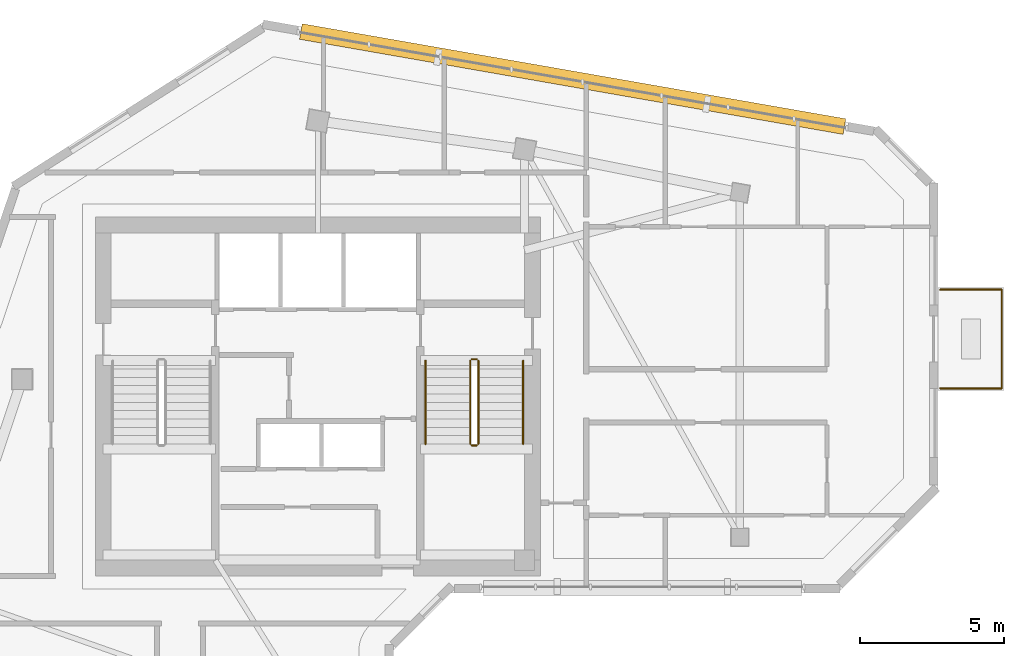
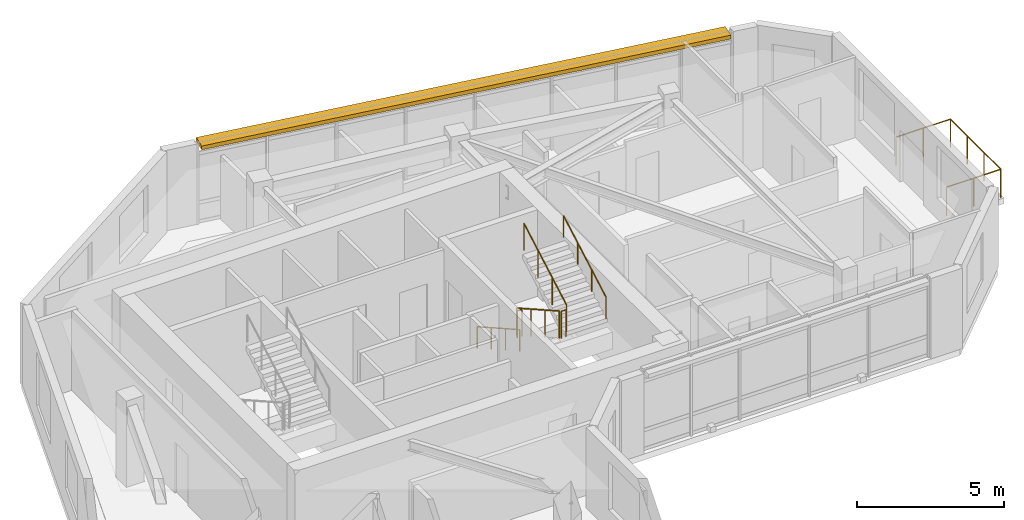
# One storey, part 9 of 9: 9 railings, 1 shading device.
"""IFC4 building model written with IfcOpenShell, lengths in metres."""

from ifc_helpers import new_model, si_unit, direction, frame, frame_2d, origin, origin_2d, place, context, subcontext, project, spatial, rectangle, circle, extrude, material, type_object, element, save


model = new_model("IFC4")

# Units and contexts
model_context = context("Model", 3, precision=1e-05, world=origin(), true_north=direction((0.0, 1.0)))
body_context = subcontext(model_context, "Body", "Model", "MODEL_VIEW")
ifc_project = project(units=[si_unit("LENGTHUNIT", "METRE"), si_unit("AREAUNIT", "SQUARE_METRE"), si_unit("VOLUMEUNIT", "CUBIC_METRE"), si_unit("PLANEANGLEUNIT", "RADIAN"), si_unit("MASSUNIT", "GRAM", prefix="KILO")], contexts=[model_context])

# Site, building, storey
site_placement = place(None, origin())
site = spatial("IfcSite", under=ifc_project, at=site_placement, CompositionType="ELEMENT")
building_placement = place(site_placement, origin())
building = spatial("IfcBuilding", under=site, at=building_placement, Name="Calvemar Wedge Station Tower", CompositionType="ELEMENT")
storey_placement = place(building_placement, frame((0.0, 0.0, 260.10009765625)))
storey = spatial("IfcBuildingStorey", under=building, at=storey_placement, Name="L66", CompositionType="ELEMENT", Elevation=260.10009765625)

# Railings
ifc_material_1 = material(Name="Stainless steel AISI 316L", Category="steel")
railing_type_1 = type_object("IfcRailingType", Name="GRD-TERR-1200", PredefinedType="GUARDRAIL", material=ifc_material_1)
railing_1_placement = place(storey_placement, frame((45.47998046875, 43.6259765625, 0.0)))
element("IfcRailing", 1, at=railing_1_placement, inside=storey, type_object=railing_type_1, Name="Storey L66 Spiral Terrace Guard 2", PredefinedType="GUARDRAIL", context=body_context, shape_type="SweptSolid", body=[
    extrude(circle(Radius=0.02392578125, at=origin_2d()), frame((0.0, 0.0, 1.17578125), z_axis=(1.0, 0.0, 0.0), x_axis=(0.0, 1.0, 0.0)), (0.0, 0.0, 1.0), 2.14013671875),
    extrude(circle(Radius=0.02099609375, at=origin_2d()), origin(), (0.0, 0.0, 1.0), 1.15185546875),
    extrude(circle(Radius=0.02099609375, at=origin_2d()), frame((1.070068359375, 0.0, 0.0)), (0.0, 0.0, 1.0), 1.15185546875),
    extrude(circle(Radius=0.02099609375, at=origin_2d()), frame((2.14013671875, 0.0, 0.0)), (0.0, 0.0, 1.0), 1.15185546875),
])
railing_2_placement = place(storey_placement, frame((47.6201171875, 43.6259765625, 0.0)))
element("IfcRailing", 2, at=railing_2_placement, inside=storey, type_object=railing_type_1, Name="Storey L66 Spiral Terrace Guard 3", PredefinedType="GUARDRAIL", context=body_context, shape_type="SweptSolid", body=[
    extrude(circle(Radius=0.02392578125, at=origin_2d()), frame((0.0, 0.0, 1.17578125), z_axis=(0.0, -1.0, 0.0), x_axis=(1.0, 0.0, 0.0)), (0.0, 0.0, 1.0), 3.43994140625),
    extrude(circle(Radius=0.02099609375, at=origin_2d()), origin(), (0.0, 0.0, 1.0), 1.15185546875),
    extrude(circle(Radius=0.02099609375, at=origin_2d()), frame((0.0, -1.146728515625, 0.0)), (0.0, 0.0, 1.0), 1.15185546875),
    extrude(circle(Radius=0.02099609375, at=origin_2d()), frame((0.0, -2.293212890625, 0.0)), (0.0, 0.0, 1.0), 1.15185546875),
    extrude(circle(Radius=0.02099609375, at=origin_2d()), frame((0.0, -3.43994140625, 0.0)), (0.0, 0.0, 1.0), 1.15185546875),
])
railing_3_placement = place(storey_placement, frame((47.6201171875, 40.18603515625, 0.0)))
element("IfcRailing", 3, at=railing_3_placement, inside=storey, type_object=railing_type_1, Name="Storey L66 Spiral Terrace Guard 4", PredefinedType="GUARDRAIL", context=body_context, shape_type="SweptSolid", body=[
    extrude(circle(Radius=0.02392578125, at=origin_2d()), frame((0.0, 0.0, 1.17578125), z_axis=(-1.0, 0.0, 0.0), x_axis=(0.0, -1.0, 0.0)), (0.0, 0.0, 1.0), 2.14013671875),
    extrude(circle(Radius=0.02099609375, at=origin_2d()), origin(), (0.0, 0.0, 1.0), 1.15185546875),
    extrude(circle(Radius=0.02099609375, at=origin_2d()), frame((-1.070068359375, 0.0, 0.0)), (0.0, 0.0, 1.0), 1.15185546875),
    extrude(circle(Radius=0.02099609375, at=origin_2d()), frame((-2.14013671875, 0.0, 0.0)), (0.0, 0.0, 1.0), 1.15185546875),
])
railing_type_2 = type_object("IfcRailingType", Name="RL-HANDRAIL-920", PredefinedType="HANDRAIL", material=ifc_material_1)
railing_4_placement = place(storey_placement, frame((27.550048828125, 41.14990234375, 0.16357421875)))
element("IfcRailing", 4, at=railing_4_placement, inside=storey, type_object=railing_type_2, Name="L66 ST-C2 stair handrail 1", PredefinedType="HANDRAIL", context=body_context, shape_type="SweptSolid", body=[
    extrude(circle(Radius=0.02392578125, at=origin_2d()), frame((0.0, 0.0, 0.89599609375), z_axis=(0.0, -0.870928581787, 0.491409610636), x_axis=(1.0, 0.0, 0.0)), (0.0, 0.0, 1.0), 3.32958984375),
    extrude(circle(Radius=0.02099609375, at=origin_2d()), origin(), (0.0, 0.0, 1.0), 0.871826171875),
    extrude(circle(Radius=0.02099609375, at=origin_2d()), frame((0.0, -0.966552734375, 0.54541015625)), (0.0, 0.0, 1.0), 0.871826171875),
    extrude(circle(Radius=0.02099609375, at=origin_2d()), frame((0.0, -1.933349609375, 1.0908203125)), (0.0, 0.0, 1.0), 0.871826171875),
    extrude(circle(Radius=0.02099609375, at=origin_2d()), frame((0.0, -2.89990234375, 1.63623046875)), (0.0, 0.0, 1.0), 0.871826171875),
])
railing_5_placement = place(storey_placement, frame((30.949951171875, 38.25, 1.963623046875)))
element("IfcRailing", 5, at=railing_5_placement, inside=storey, type_object=railing_type_2, Name="L66 ST-C2 stair handrail 2", PredefinedType="HANDRAIL", context=body_context, shape_type="SweptSolid", body=[
    extrude(circle(Radius=0.02392578125, at=origin_2d()), frame((0.0, 0.0, 0.89599609375), z_axis=(0.0, 0.870928581787, 0.491409610636), x_axis=(-1.0, 0.0, 0.0)), (0.0, 0.0, 1.0), 3.32958984375),
    extrude(circle(Radius=0.02099609375, at=origin_2d()), origin(), (0.0, 0.0, 1.0), 0.871826171875),
    extrude(circle(Radius=0.02099609375, at=origin_2d()), frame((0.0, 0.966552734375, 0.54541015625)), (0.0, 0.0, 1.0), 0.871826171875),
    extrude(circle(Radius=0.02099609375, at=origin_2d()), frame((0.0, 1.933349609375, 1.0908203125)), (0.0, 0.0, 1.0), 0.871826171875),
    extrude(circle(Radius=0.02099609375, at=origin_2d()), frame((0.0, 2.89990234375, 1.63623046875)), (0.0, 0.0, 1.0), 0.871826171875),
])
ifc_material_2 = material(Name="Painted steel guardrail ASTM A500 Grade C", Category="steel")
railing_type_3 = type_object("IfcRailingType", Name="RL-STAIR-GUARD-1150", PredefinedType="GUARDRAIL", material=ifc_material_2)
railing_6_placement = place(storey_placement, frame((29.110107421875, 41.14990234375, 0.16357421875)))
element("IfcRailing", 6, at=railing_6_placement, inside=storey, type_object=railing_type_3, Name="L66 ST-C2 stair guard 1", PredefinedType="GUARDRAIL", context=body_context, shape_type="SweptSolid", body=[
    extrude(circle(Radius=0.02392578125, at=origin_2d()), frame((0.0, 0.0, 1.1259765625), z_axis=(0.0, -0.870928581787, 0.491409610636), x_axis=(1.0, 0.0, 0.0)), (0.0, 0.0, 1.0), 3.32958984375),
    extrude(circle(Radius=0.02099609375, at=origin_2d()), origin(), (0.0, 0.0, 1.0), 1.101806640625),
    extrude(circle(Radius=0.02099609375, at=origin_2d()), frame((0.0, -0.966552734375, 0.54541015625)), (0.0, 0.0, 1.0), 1.101806640625),
    extrude(circle(Radius=0.02099609375, at=origin_2d()), frame((0.0, -1.933349609375, 1.0908203125)), (0.0, 0.0, 1.0), 1.101806640625),
    extrude(circle(Radius=0.02099609375, at=origin_2d()), frame((0.0, -2.89990234375, 1.63623046875)), (0.0, 0.0, 1.0), 1.101806640625),
])
railing_7_placement = place(storey_placement, frame((29.159912109375, 38.199951171875, 1.7998046875)))
element("IfcRailing", 7, at=railing_7_placement, inside=storey, type_object=railing_type_3, Name="L66 ST-C2 stair guard 2", PredefinedType="GUARDRAIL", context=body_context, shape_type="SweptSolid", body=[
    extrude(circle(Radius=0.02392578125, at=origin_2d()), frame((0.0, 0.0, 1.1259765625), z_axis=(1.0, 0.0, 0.0), x_axis=(0.0, 1.0, 0.0)), (0.0, 0.0, 1.0), 0.18017578125),
    extrude(circle(Radius=0.02099609375, at=origin_2d()), origin(), (0.0, 0.0, 1.0), 1.101806640625),
    extrude(circle(Radius=0.02099609375, at=origin_2d()), frame((0.18017578125, 0.0, 0.0)), (0.0, 0.0, 1.0), 1.101806640625),
])
railing_8_placement = place(storey_placement, frame((29.389892578125, 38.25, 1.963623046875)))
element("IfcRailing", 8, at=railing_8_placement, inside=storey, type_object=railing_type_3, Name="L66 ST-C2 stair guard 3", PredefinedType="GUARDRAIL", context=body_context, shape_type="SweptSolid", body=[
    extrude(circle(Radius=0.02392578125, at=origin_2d()), frame((0.0, 0.0, 1.1259765625), z_axis=(0.0, 0.870928581787, 0.491409610636), x_axis=(-1.0, 0.0, 0.0)), (0.0, 0.0, 1.0), 3.32958984375),
    extrude(circle(Radius=0.02099609375, at=origin_2d()), origin(), (0.0, 0.0, 1.0), 1.101806640625),
    extrude(circle(Radius=0.02099609375, at=origin_2d()), frame((0.0, 0.966552734375, 0.54541015625)), (0.0, 0.0, 1.0), 1.101806640625),
    extrude(circle(Radius=0.02099609375, at=origin_2d()), frame((0.0, 1.933349609375, 1.0908203125)), (0.0, 0.0, 1.0), 1.101806640625),
    extrude(circle(Radius=0.02099609375, at=origin_2d()), frame((0.0, 2.89990234375, 1.63623046875)), (0.0, 0.0, 1.0), 1.101806640625),
])
railing_9_placement = place(storey_placement, frame((29.159912109375, 41.199951171875, 0.0)))
element("IfcRailing", 9, at=railing_9_placement, inside=storey, type_object=railing_type_3, Name="L66 ST-C2 stair guard 4", PredefinedType="GUARDRAIL", context=body_context, shape_type="SweptSolid", body=[
    extrude(circle(Radius=0.02392578125, at=origin_2d()), frame((0.0, 0.0, 1.1259765625), z_axis=(1.0, 0.0, 0.0), x_axis=(0.0, 1.0, 0.0)), (0.0, 0.0, 1.0), 0.18017578125),
    extrude(circle(Radius=0.02099609375, at=origin_2d()), origin(), (0.0, 0.0, 1.0), 1.101806640625),
    extrude(circle(Radius=0.02099609375, at=origin_2d()), frame((0.18017578125, 0.0, 0.0)), (0.0, 0.0, 1.0), 1.101806640625),
])

# Shading device
ifc_material_3 = material(Name="Precast concrete C45", Category="concrete")
shading_device_type = type_object("IfcShadingDeviceType", Name="SHD-EYEBROW-1", PredefinedType="SHUTTER", material=ifc_material_3)
shading_device_placement = place(storey_placement, frame((42.14208984375, 49.303466796875, 3.169921875), z_axis=(0.0, 0.0, 1.0), x_axis=(-0.985037745923, 0.172338733625, 0.0)))
element("IfcShadingDevice", 10, at=shading_device_placement, inside=storey, type_object=shading_device_type, Name="Storey L66 Bronze GFRC Solar Eyebrow 10", PredefinedType="SHUTTER", context=body_context, shape_type="SweptSolid", body=[
    extrude(rectangle(XDim=19.219482421875, YDim=0.550048828125, at=frame_2d((9.60986328125, 0.0))), origin(), (0.0, 0.0, 1.0), 0.159912109375),
])

save(model, "model.ifc")
